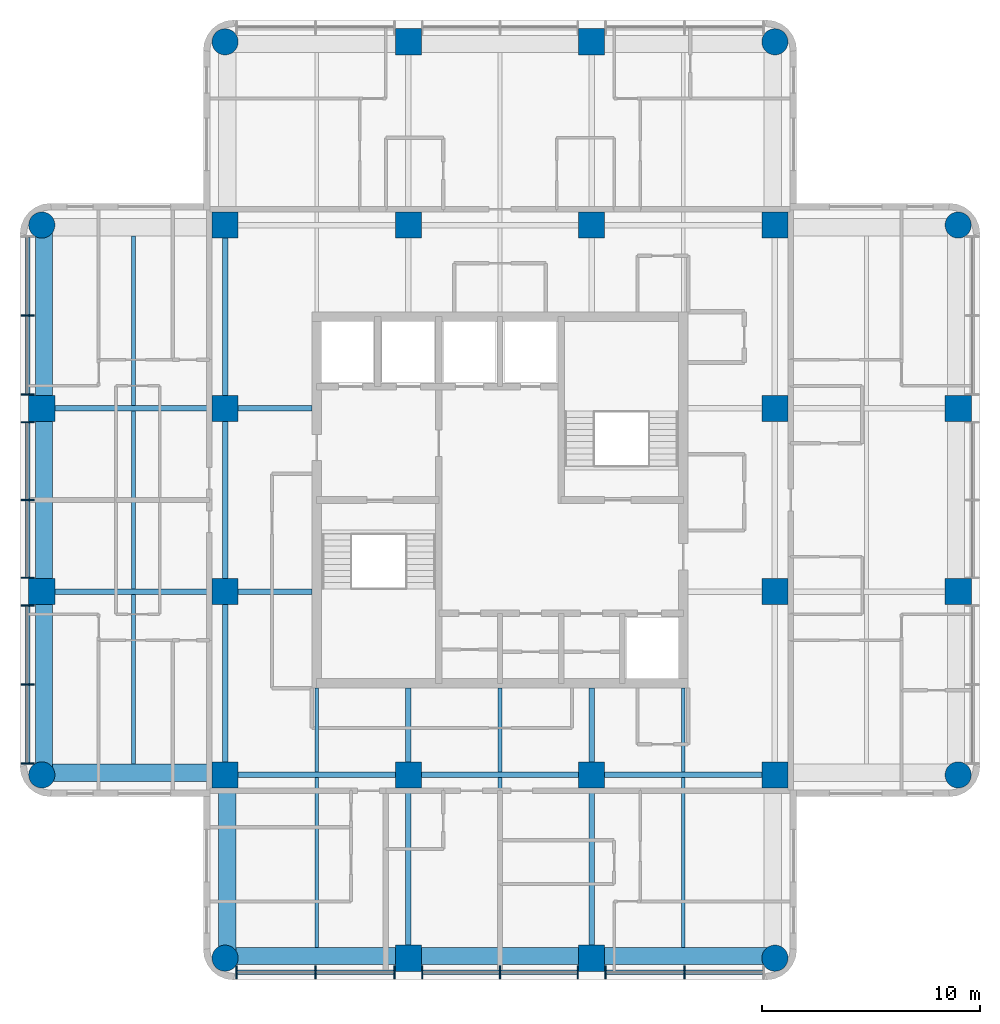
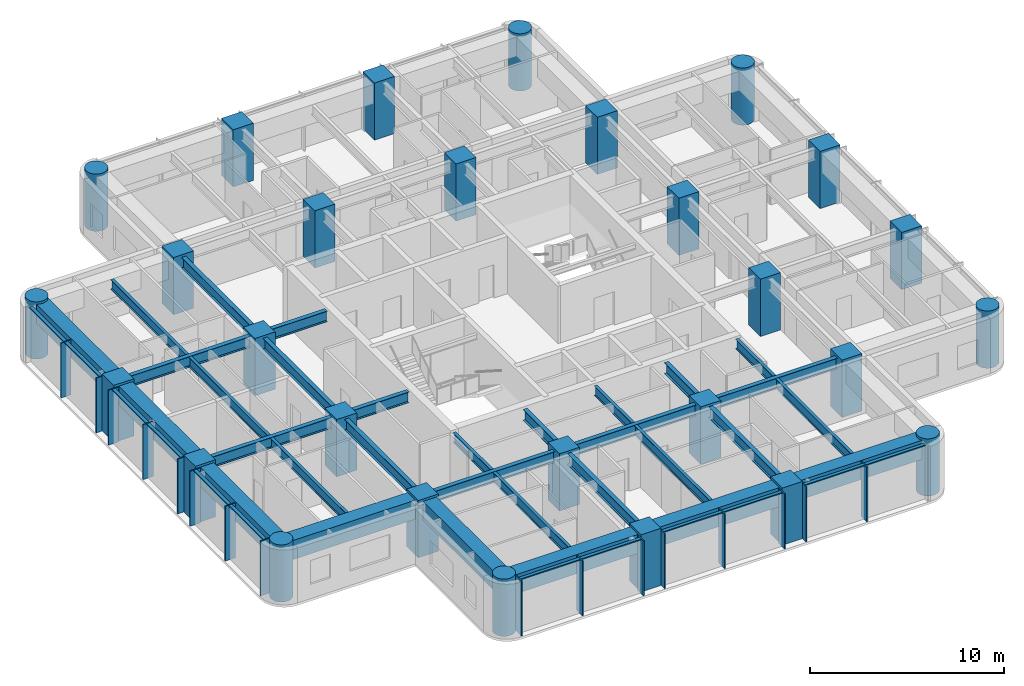
# One storey, part 1 of 10: 31 beams, 28 columns, 28 members, 2 elements without a shape of their own.
"""IFC4 building model written with IfcOpenShell, lengths in metres."""

from ifc_helpers import new_model, si_unit, direction, frame, origin, origin_2d, place, context, subcontext, project, spatial, rectangle, circle, i_section, extrude, material, material_profile, profile_set, type_object, element, aggregate, save


model = new_model("IFC4")

# Units and contexts
model_context = context("Model", 3, precision=1e-05, world=origin(), true_north=direction((0.0, 1.0)))
body_context = subcontext(model_context, "Body", "Model", "MODEL_VIEW")
ifc_project = project(units=[si_unit("LENGTHUNIT", "METRE"), si_unit("AREAUNIT", "SQUARE_METRE"), si_unit("VOLUMEUNIT", "CUBIC_METRE"), si_unit("PLANEANGLEUNIT", "RADIAN"), si_unit("MASSUNIT", "GRAM", prefix="KILO")], contexts=[model_context])

# Site, building, storey
site_placement = place(None, origin())
site = spatial("IfcSite", under=ifc_project, at=site_placement, CompositionType="ELEMENT")
building_placement = place(site_placement, origin())
building = spatial("IfcBuilding", under=site, at=building_placement, Name="Torre Alcanfor", CompositionType="ELEMENT")
storey_placement = place(building_placement, frame((0.0, 0.0, 264.89990234375)))
storey = spatial("IfcBuildingStorey", under=building, at=storey_placement, Name="L69", CompositionType="ELEMENT", Elevation=264.89990234375)

# Columns
ifc_material_1 = material(Name="Concrete f'c 70 MPa", Category="concrete")
ifc_material_profile_1 = material_profile(ifc_material_1, rectangle(XDim=1.199951171875, YDim=1.199951171875, at=origin_2d()), Name="1200x1200")
ifc_profile_set_1 = profile_set([ifc_material_profile_1], Name="Concrete f'c 70 MPa")
column_type_1 = type_object("IfcColumnType", Name="RC column 1200x1200 f'c70", PredefinedType="COLUMN", material=ifc_profile_set_1)
for number, where, z_axis, x_axis, name in (
    (1, (8.39990234375, 25.199951171875, 0.0), (0.0, 0.0, 1.0), (1.0, 0.0, 0.0), "Column 2/F L69"),
    (2, (8.39990234375, 33.60009765625, 0.0), (0.0, 0.0, 1.0), (1.0, 0.0, 0.0), "Column 2/G L69"),
    (3, (16.800048828125, 16.800048828125, 0.0), (0.0, 0.0, 1.0), (1.0, 0.0, 0.0), "Column 3/E L69"),
    (4, (16.800048828125, 25.199951171875, 0.0), (0.0, 0.0, 1.0), (1.0, 0.0, 0.0), "Column 3/F L69"),
    (5, (16.800048828125, 33.60009765625, 0.0), (0.0, 0.0, 1.0), (1.0, 0.0, 0.0), "Column 3/G L69"),
    (6, (16.800048828125, 42.0, 0.0), (0.0, 0.0, 1.0), (1.0, 0.0, 0.0), "Column 3/H L69"),
    (7, (25.199951171875, 8.39990234375, 0.0), (0.0, 0.0, 1.0), (1.0, 0.0, 0.0), "Column 4/D L69"),
    (8, (25.199951171875, 16.800048828125, 0.0), (0.0, 0.0, 1.0), (1.0, 0.0, 0.0), "Column 4/E L69"),
    (9, (25.199951171875, 42.0, 0.0), (0.0, 0.0, 1.0), (1.0, 0.0, 0.0), "Column 4/H L69"),
    (10, (25.199951171875, 50.39990234375, 0.0), (0.0, 0.0, 1.0), (1.0, 0.0, 0.0), "Column 4/J L69"),
    (11, (33.60009765625, 8.39990234375, 0.0), (0.0, 0.0, 1.0), (1.0, 0.0, 0.0), "Column 5/D L69"),
    (12, (33.60009765625, 16.800048828125, 0.0), (0.0, 0.0, 1.0), (1.0, 0.0, 0.0), "Column 5/E L69"),
    (13, (33.60009765625, 42.0, 0.0), (0.0, 0.0, 1.0), (1.0, 0.0, 0.0), "Column 5/H L69"),
    (14, (33.60009765625, 50.39990234375, 0.0), (0.0, 0.0, 1.0), (1.0, 0.0, 0.0), "Column 5/J L69"),
    (15, (42.0, 16.800048828125, 0.0), (0.0, 0.0, 1.0), (1.0, 0.0, 0.0), "Column 6/E L69"),
    (16, (42.0, 25.199951171875, 0.0), (0.0, 0.0, 1.0), (1.0, 0.0, 0.0), "Column 6/F L69"),
    (17, (42.0, 33.60009765625, 0.0), (0.0, 0.0, 1.0), (1.0, 0.0, 0.0), "Column 6/G L69"),
    (18, (42.0, 42.0, 0.0), (0.0, 0.0, 1.0), (1.0, 0.0, 0.0), "Column 6/H L69"),
    (19, (50.39990234375, 25.199951171875, 0.0), (0.0, 0.0, 1.0), (1.0, 0.0, 0.0), "Column 7/F L69"),
    (20, (50.39990234375, 33.60009765625, 0.0), (0.0, 0.0, 1.0), (1.0, 0.0, 0.0), "Column 7/G L69"),
):
    element("IfcColumn", number, at=place(storey_placement, frame(where, z_axis=z_axis, x_axis=x_axis)), inside=storey, type_object=column_type_1, Name=name, PredefinedType="COLUMN", context=body_context, shape_type="SweptSolid", body=[
        extrude(rectangle(XDim=1.199951171875, YDim=1.199951171875, at=origin_2d()), origin(), (0.0, 0.0, 1.0), 3.60009765625),
    ])
ifc_material_2 = material(Name="Concrete f'c 70 MPa", Category="concrete")
ifc_material_profile_2 = material_profile(ifc_material_2, circle(Radius=0.60009765625, at=origin_2d()), Name="D1200")
ifc_profile_set_2 = profile_set([ifc_material_profile_2], Name="Concrete f'c 70 MPa")
column_type_2 = type_object("IfcColumnType", Name="RC column D1200 f'c70", PredefinedType="COLUMN", material=ifc_profile_set_2)
for number, where, z_axis, x_axis, name in (
    (21, (8.39990234375, 16.800048828125, 0.0), (0.0, 0.0, 1.0), (1.0, 0.0, 0.0), "Column 2/E L69"),
    (22, (8.39990234375, 42.0, 0.0), (0.0, 0.0, 1.0), (1.0, 0.0, 0.0), "Column 2/H L69"),
    (23, (16.800048828125, 8.39990234375, 0.0), (0.0, 0.0, 1.0), (1.0, 0.0, 0.0), "Column 3/D L69"),
    (24, (16.800048828125, 50.39990234375, 0.0), (0.0, 0.0, 1.0), (1.0, 0.0, 0.0), "Column 3/J L69"),
    (25, (42.0, 8.39990234375, 0.0), (0.0, 0.0, 1.0), (1.0, 0.0, 0.0), "Column 6/D L69"),
    (26, (42.0, 50.39990234375, 0.0), (0.0, 0.0, 1.0), (1.0, 0.0, 0.0), "Column 6/J L69"),
    (27, (50.39990234375, 16.800048828125, 0.0), (0.0, 0.0, 1.0), (1.0, 0.0, 0.0), "Column 7/E L69"),
    (28, (50.39990234375, 42.0, 0.0), (0.0, 0.0, 1.0), (1.0, 0.0, 0.0), "Column 7/H L69"),
):
    element("IfcColumn", number, at=place(storey_placement, frame(where, z_axis=z_axis, x_axis=x_axis)), inside=storey, type_object=column_type_2, Name=name, PredefinedType="COLUMN", context=body_context, shape_type="SweptSolid", body=[
        extrude(circle(Radius=0.60009765625, at=origin_2d()), origin(), (0.0, 0.0, 1.0), 3.60009765625),
    ])

# Curtain wall, members
ifc_material_3 = material(Name="Aluminium and glass", Category="aluminium")
curtain_wall_type = type_object("IfcCurtainWallType", Name="CW-A unitised apartment glazing with vertical FIN", PredefinedType="NOTDEFINED", material=ifc_material_3)
curtain_wall_1_placement = place(storey_placement, origin())
curtain_wall_1 = element("IfcCurtainWall", 29, at=curtain_wall_1_placement, inside=storey, type_object=curtain_wall_type, Name="Curtain wall CW-A L69 2", PredefinedType="NOTDEFINED")
ifc_material_4 = material(Name="Bronze anodised aluminium", Category="aluminium")
ifc_material_profile_3 = material_profile(ifc_material_4, rectangle(XDim=0.60009765625, YDim=0.06494140625, at=origin_2d()), Name="CW-A mullion 65x600")
ifc_profile_set_3 = profile_set([ifc_material_profile_3], Name="Bronze anodised aluminium")
member_type_1 = type_object("IfcMemberType", Name="CW-A mullion with vertical FIN 65x600", PredefinedType="MULLION", material=ifc_profile_set_3)
member_1_placement = place(storey_placement, frame((7.75, 37.855712890625, 0.0), z_axis=(0.0, 0.0, 1.0), x_axis=(1.0, 0.0, 0.0)))
member_1 = element("IfcMember", 30, at=member_1_placement, type_object=member_type_1, Name="CW-A mullion 1.2", PredefinedType="MULLION", context=body_context, shape_type="SweptSolid", body=[
    extrude(rectangle(XDim=0.60009765625, YDim=0.06494140625, at=origin_2d()), origin(), (0.0, 0.0, 1.0), 3.4501953125),
])
member_2_placement = place(storey_placement, frame((7.75, 34.237548828125, 0.0), z_axis=(0.0, 0.0, 1.0), x_axis=(1.0, 0.0, 0.0)))
member_2 = element("IfcMember", 31, at=member_2_placement, type_object=member_type_1, Name="CW-A mullion 1.3", PredefinedType="MULLION", context=body_context, shape_type="SweptSolid", body=[
    extrude(rectangle(XDim=0.60009765625, YDim=0.06494140625, at=origin_2d()), origin(), (0.0, 0.0, 1.0), 3.4501953125),
])
member_3_placement = place(storey_placement, frame((7.75, 32.96240234375, 0.0), z_axis=(0.0, 0.0, 1.0), x_axis=(1.0, 0.0, 0.0)))
member_3 = element("IfcMember", 32, at=member_3_placement, type_object=member_type_1, Name="CW-A mullion 2.1", PredefinedType="MULLION", context=body_context, shape_type="SweptSolid", body=[
    extrude(rectangle(XDim=0.60009765625, YDim=0.06494140625, at=origin_2d()), origin(), (0.0, 0.0, 1.0), 3.4501953125),
])
member_4_placement = place(storey_placement, frame((7.75, 29.39990234375, 0.0), z_axis=(0.0, 0.0, 1.0), x_axis=(1.0, 0.0, 0.0)))
member_4 = element("IfcMember", 33, at=member_4_placement, type_object=member_type_1, Name="CW-A mullion 2.2", PredefinedType="MULLION", context=body_context, shape_type="SweptSolid", body=[
    extrude(rectangle(XDim=0.60009765625, YDim=0.06494140625, at=origin_2d()), origin(), (0.0, 0.0, 1.0), 3.4501953125),
])
member_5_placement = place(storey_placement, frame((7.75, 25.83740234375, 0.0), z_axis=(0.0, 0.0, 1.0), x_axis=(1.0, 0.0, 0.0)))
member_5 = element("IfcMember", 34, at=member_5_placement, type_object=member_type_1, Name="CW-A mullion 2.3", PredefinedType="MULLION", context=body_context, shape_type="SweptSolid", body=[
    extrude(rectangle(XDim=0.60009765625, YDim=0.06494140625, at=origin_2d()), origin(), (0.0, 0.0, 1.0), 3.4501953125),
])
member_6_placement = place(storey_placement, frame((7.75, 24.5625, 0.0), z_axis=(0.0, 0.0, 1.0), x_axis=(1.0, 0.0, 0.0)))
member_6 = element("IfcMember", 35, at=member_6_placement, type_object=member_type_1, Name="CW-A mullion 3.1", PredefinedType="MULLION", context=body_context, shape_type="SweptSolid", body=[
    extrude(rectangle(XDim=0.60009765625, YDim=0.06494140625, at=origin_2d()), origin(), (0.0, 0.0, 1.0), 3.4501953125),
])
member_7_placement = place(storey_placement, frame((7.75, 20.9443359375, 0.0), z_axis=(0.0, 0.0, 1.0), x_axis=(1.0, 0.0, 0.0)))
member_7 = element("IfcMember", 36, at=member_7_placement, type_object=member_type_1, Name="CW-A mullion 3.2", PredefinedType="MULLION", context=body_context, shape_type="SweptSolid", body=[
    extrude(rectangle(XDim=0.60009765625, YDim=0.06494140625, at=origin_2d()), origin(), (0.0, 0.0, 1.0), 3.4501953125),
])
member_8_placement = place(storey_placement, frame((7.75, 17.325927734375, 0.0), z_axis=(0.0, 0.0, 1.0), x_axis=(1.0, 0.0, 0.0)))
member_8 = element("IfcMember", 37, at=member_8_placement, type_object=member_type_1, Name="CW-A mullion 3.3", PredefinedType="MULLION", context=body_context, shape_type="SweptSolid", body=[
    extrude(rectangle(XDim=0.60009765625, YDim=0.06494140625, at=origin_2d()), origin(), (0.0, 0.0, 1.0), 3.4501953125),
])

curtain_wall_2_placement = place(storey_placement, origin())
curtain_wall_2 = element("IfcCurtainWall", 38, at=curtain_wall_2_placement, inside=storey, type_object=curtain_wall_type, Name="Curtain wall CW-A L69 5", PredefinedType="NOTDEFINED")
member_9_placement = place(storey_placement, frame((17.325927734375, 7.75, 0.0), z_axis=(0.0, 0.0, 1.0), x_axis=(0.0, 1.0, 0.0)))
member_9 = element("IfcMember", 39, at=member_9_placement, type_object=member_type_1, Name="CW-A mullion 1.1", PredefinedType="MULLION", context=body_context, shape_type="SweptSolid", body=[
    extrude(rectangle(XDim=0.60009765625, YDim=0.06494140625, at=origin_2d()), origin(), (0.0, 0.0, 1.0), 3.4501953125),
])
member_10_placement = place(storey_placement, frame((20.9443359375, 7.75, 0.0), z_axis=(0.0, 0.0, 1.0), x_axis=(0.0, 1.0, 0.0)))
member_10 = element("IfcMember", 40, at=member_10_placement, type_object=member_type_1, Name="CW-A mullion 1.2", PredefinedType="MULLION", context=body_context, shape_type="SweptSolid", body=[
    extrude(rectangle(XDim=0.60009765625, YDim=0.06494140625, at=origin_2d()), origin(), (0.0, 0.0, 1.0), 3.4501953125),
])
member_11_placement = place(storey_placement, frame((24.5625, 7.75, 0.0), z_axis=(0.0, 0.0, 1.0), x_axis=(0.0, 1.0, 0.0)))
member_11 = element("IfcMember", 41, at=member_11_placement, type_object=member_type_1, Name="CW-A mullion 1.3", PredefinedType="MULLION", context=body_context, shape_type="SweptSolid", body=[
    extrude(rectangle(XDim=0.60009765625, YDim=0.06494140625, at=origin_2d()), origin(), (0.0, 0.0, 1.0), 3.4501953125),
])
member_12_placement = place(storey_placement, frame((25.83740234375, 7.75, 0.0), z_axis=(0.0, 0.0, 1.0), x_axis=(0.0, 1.0, 0.0)))
member_12 = element("IfcMember", 42, at=member_12_placement, type_object=member_type_1, Name="CW-A mullion 2.1", PredefinedType="MULLION", context=body_context, shape_type="SweptSolid", body=[
    extrude(rectangle(XDim=0.60009765625, YDim=0.06494140625, at=origin_2d()), origin(), (0.0, 0.0, 1.0), 3.4501953125),
])
member_13_placement = place(storey_placement, frame((29.39990234375, 7.75, 0.0), z_axis=(0.0, 0.0, 1.0), x_axis=(0.0, 1.0, 0.0)))
member_13 = element("IfcMember", 43, at=member_13_placement, type_object=member_type_1, Name="CW-A mullion 2.2", PredefinedType="MULLION", context=body_context, shape_type="SweptSolid", body=[
    extrude(rectangle(XDim=0.60009765625, YDim=0.06494140625, at=origin_2d()), origin(), (0.0, 0.0, 1.0), 3.4501953125),
])
member_14_placement = place(storey_placement, frame((32.96240234375, 7.75, 0.0), z_axis=(0.0, 0.0, 1.0), x_axis=(0.0, 1.0, 0.0)))
member_14 = element("IfcMember", 44, at=member_14_placement, type_object=member_type_1, Name="CW-A mullion 2.3", PredefinedType="MULLION", context=body_context, shape_type="SweptSolid", body=[
    extrude(rectangle(XDim=0.60009765625, YDim=0.06494140625, at=origin_2d()), origin(), (0.0, 0.0, 1.0), 3.4501953125),
])
member_15_placement = place(storey_placement, frame((34.237548828125, 7.75, 0.0), z_axis=(0.0, 0.0, 1.0), x_axis=(0.0, 1.0, 0.0)))
member_15 = element("IfcMember", 45, at=member_15_placement, type_object=member_type_1, Name="CW-A mullion 3.1", PredefinedType="MULLION", context=body_context, shape_type="SweptSolid", body=[
    extrude(rectangle(XDim=0.60009765625, YDim=0.06494140625, at=origin_2d()), origin(), (0.0, 0.0, 1.0), 3.4501953125),
])
member_16_placement = place(storey_placement, frame((37.855712890625, 7.75, 0.0), z_axis=(0.0, 0.0, 1.0), x_axis=(0.0, 1.0, 0.0)))
member_16 = element("IfcMember", 46, at=member_16_placement, type_object=member_type_1, Name="CW-A mullion 3.2", PredefinedType="MULLION", context=body_context, shape_type="SweptSolid", body=[
    extrude(rectangle(XDim=0.60009765625, YDim=0.06494140625, at=origin_2d()), origin(), (0.0, 0.0, 1.0), 3.4501953125),
])

# Member
ifc_material_5 = material(Name="Extruded aluminium", Category="aluminium")
ifc_material_profile_4 = material_profile(ifc_material_5, rectangle(XDim=0.199951171875, YDim=0.06494140625, at=origin_2d()), Name="CW-A transom 200x65")
ifc_profile_set_4 = profile_set([ifc_material_profile_4], Name="Extruded aluminium")
member_type_2 = type_object("IfcMemberType", Name="CW-A transom 65x200", PredefinedType="USERDEFINED", material=ifc_profile_set_4)
member_17_placement = place(storey_placement, frame((7.75, 41.44140625, 3.41748046875), z_axis=(0.0, -1.0, 0.0), x_axis=(1.0, 0.0, 0.0)))
member_17 = element("IfcMember", 47, at=member_17_placement, type_object=member_type_2, Name="CW-A transom 1.1.2", ObjectType="TRANSOM", PredefinedType="USERDEFINED", context=body_context, shape_type="SweptSolid", body=[
    extrude(rectangle(XDim=0.199951171875, YDim=0.06494140625, at=origin_2d()), origin(), (0.0, 0.0, 1.0), 3.55322265625),
])

member_18_placement = place(storey_placement, frame((7.75, 37.8232421875, 3.41748046875), z_axis=(0.0, -1.0, 0.0), x_axis=(1.0, 0.0, 0.0)))
member_18 = element("IfcMember", 48, at=member_18_placement, type_object=member_type_2, Name="CW-A transom 1.2.2", ObjectType="TRANSOM", PredefinedType="USERDEFINED", context=body_context, shape_type="SweptSolid", body=[
    extrude(rectangle(XDim=0.199951171875, YDim=0.06494140625, at=origin_2d()), origin(), (0.0, 0.0, 1.0), 3.55322265625),
])

member_19_placement = place(storey_placement, frame((7.75, 32.929931640625, 3.41748046875), z_axis=(0.0, -1.0, 0.0), x_axis=(1.0, 0.0, 0.0)))
member_19 = element("IfcMember", 49, at=member_19_placement, type_object=member_type_2, Name="CW-A transom 2.1.2", ObjectType="TRANSOM", PredefinedType="USERDEFINED", context=body_context, shape_type="SweptSolid", body=[
    extrude(rectangle(XDim=0.199951171875, YDim=0.06494140625, at=origin_2d()), origin(), (0.0, 0.0, 1.0), 3.497314453125),
])

member_20_placement = place(storey_placement, frame((7.75, 29.367431640625, 3.41748046875), z_axis=(0.0, -1.0, 0.0), x_axis=(1.0, 0.0, 0.0)))
member_20 = element("IfcMember", 50, at=member_20_placement, type_object=member_type_2, Name="CW-A transom 2.2.2", ObjectType="TRANSOM", PredefinedType="USERDEFINED", context=body_context, shape_type="SweptSolid", body=[
    extrude(rectangle(XDim=0.199951171875, YDim=0.06494140625, at=origin_2d()), origin(), (0.0, 0.0, 1.0), 3.497314453125),
])

member_21_placement = place(storey_placement, frame((7.75, 24.530029296875, 3.41748046875), z_axis=(0.0, -1.0, 0.0), x_axis=(1.0, 0.0, 0.0)))
member_21 = element("IfcMember", 51, at=member_21_placement, type_object=member_type_2, Name="CW-A transom 3.1.2", ObjectType="TRANSOM", PredefinedType="USERDEFINED", context=body_context, shape_type="SweptSolid", body=[
    extrude(rectangle(XDim=0.199951171875, YDim=0.06494140625, at=origin_2d()), origin(), (0.0, 0.0, 1.0), 3.55322265625),
])

member_22_placement = place(storey_placement, frame((7.75, 20.911865234375, 3.41748046875), z_axis=(0.0, -1.0, 0.0), x_axis=(1.0, 0.0, 0.0)))
member_22 = element("IfcMember", 52, at=member_22_placement, type_object=member_type_2, Name="CW-A transom 3.2.2", ObjectType="TRANSOM", PredefinedType="USERDEFINED", context=body_context, shape_type="SweptSolid", body=[
    extrude(rectangle(XDim=0.199951171875, YDim=0.06494140625, at=origin_2d()), origin(), (0.0, 0.0, 1.0), 3.553466796875),
])

aggregate(curtain_wall_1, [member_1, member_2, member_17, member_18, member_3, member_4, member_5, member_19, member_20, member_6, member_7, member_8, member_21, member_22])

member_23_placement = place(storey_placement, frame((17.3583984375, 7.75, 3.41748046875), z_axis=(1.0, 0.0, 0.0), x_axis=(0.0, 1.0, 0.0)))
member_23 = element("IfcMember", 53, at=member_23_placement, type_object=member_type_2, Name="CW-A transom 1.1.2", ObjectType="TRANSOM", PredefinedType="USERDEFINED", context=body_context, shape_type="SweptSolid", body=[
    extrude(rectangle(XDim=0.199951171875, YDim=0.06494140625, at=origin_2d()), origin(), (0.0, 0.0, 1.0), 3.553466796875),
])

member_24_placement = place(storey_placement, frame((20.976806640625, 7.75, 3.41748046875), z_axis=(1.0, 0.0, 0.0), x_axis=(0.0, 1.0, 0.0)))
member_24 = element("IfcMember", 54, at=member_24_placement, type_object=member_type_2, Name="CW-A transom 1.2.2", ObjectType="TRANSOM", PredefinedType="USERDEFINED", context=body_context, shape_type="SweptSolid", body=[
    extrude(rectangle(XDim=0.199951171875, YDim=0.06494140625, at=origin_2d()), origin(), (0.0, 0.0, 1.0), 3.55322265625),
])

member_25_placement = place(storey_placement, frame((25.8701171875, 7.75, 3.41748046875), z_axis=(1.0, 0.0, 0.0), x_axis=(0.0, 1.0, 0.0)))
member_25 = element("IfcMember", 55, at=member_25_placement, type_object=member_type_2, Name="CW-A transom 2.1.2", ObjectType="TRANSOM", PredefinedType="USERDEFINED", context=body_context, shape_type="SweptSolid", body=[
    extrude(rectangle(XDim=0.199951171875, YDim=0.06494140625, at=origin_2d()), origin(), (0.0, 0.0, 1.0), 3.497314453125),
])

member_26_placement = place(storey_placement, frame((29.4326171875, 7.75, 3.41748046875), z_axis=(1.0, 0.0, 0.0), x_axis=(0.0, 1.0, 0.0)))
member_26 = element("IfcMember", 56, at=member_26_placement, type_object=member_type_2, Name="CW-A transom 2.2.2", ObjectType="TRANSOM", PredefinedType="USERDEFINED", context=body_context, shape_type="SweptSolid", body=[
    extrude(rectangle(XDim=0.199951171875, YDim=0.06494140625, at=origin_2d()), origin(), (0.0, 0.0, 1.0), 3.497314453125),
])

member_27_placement = place(storey_placement, frame((34.27001953125, 7.75, 3.41748046875), z_axis=(1.0, 0.0, 0.0), x_axis=(0.0, 1.0, 0.0)))
member_27 = element("IfcMember", 57, at=member_27_placement, type_object=member_type_2, Name="CW-A transom 3.1.2", ObjectType="TRANSOM", PredefinedType="USERDEFINED", context=body_context, shape_type="SweptSolid", body=[
    extrude(rectangle(XDim=0.199951171875, YDim=0.06494140625, at=origin_2d()), origin(), (0.0, 0.0, 1.0), 3.55322265625),
])

member_28_placement = place(storey_placement, frame((37.88818359375, 7.75, 3.41748046875), z_axis=(1.0, 0.0, 0.0), x_axis=(0.0, 1.0, 0.0)))
member_28 = element("IfcMember", 58, at=member_28_placement, type_object=member_type_2, Name="CW-A transom 3.2.2", ObjectType="TRANSOM", PredefinedType="USERDEFINED", context=body_context, shape_type="SweptSolid", body=[
    extrude(rectangle(XDim=0.199951171875, YDim=0.06494140625, at=origin_2d()), origin(), (0.0, 0.0, 1.0), 3.55322265625),
])

aggregate(curtain_wall_2, [member_9, member_10, member_11, member_23, member_24, member_12, member_13, member_14, member_25, member_26, member_15, member_16, member_27, member_28])

# Beams
ifc_material_6 = material(Name="Steel ASTM A992 Grade 50", Category="steel")
ifc_material_profile_5 = material_profile(ifc_material_6, i_section(OverallWidth=0.25390625, OverallDepth=0.683349609375, WebThickness=0.012451171875, FlangeThickness=0.01904296875, at=origin_2d()), Name="W27x94")
ifc_profile_set_5 = profile_set([ifc_material_profile_5], Name="Steel ASTM A992 Grade 50")
beam_type_1 = type_object("IfcBeamType", Name="Girder W27x94", PredefinedType="BEAM", material=ifc_profile_set_5)
beam_1_placement = place(storey_placement, frame((16.800048828125, 16.800048828125, 3.1083984375), z_axis=(1.0, 0.0, 0.0), x_axis=(0.0, 1.0, 0.0)))
element("IfcBeam", 59, at=beam_1_placement, inside=storey, type_object=beam_type_1, Name="Beam 3E-4E under L70", PredefinedType="BEAM", context=body_context, shape_type="SweptSolid", body=[
    extrude(i_section(OverallWidth=0.25390625, OverallDepth=0.683349609375, WebThickness=0.012451171875, FlangeThickness=0.01904296875, at=origin_2d()), origin(), (0.0, 0.0, 1.0), 8.39990234375),
])
beam_2_placement = place(storey_placement, frame((25.199951171875, 16.800048828125, 3.1083984375), z_axis=(1.0, 0.0, 0.0), x_axis=(0.0, 1.0, 0.0)))
element("IfcBeam", 60, at=beam_2_placement, inside=storey, type_object=beam_type_1, Name="Beam 4E-5E under L70", PredefinedType="BEAM", context=body_context, shape_type="SweptSolid", body=[
    extrude(i_section(OverallWidth=0.25390625, OverallDepth=0.683349609375, WebThickness=0.012451171875, FlangeThickness=0.01904296875, at=origin_2d()), origin(), (0.0, 0.0, 1.0), 8.400146484375),
])
beam_3_placement = place(storey_placement, frame((33.60009765625, 16.800048828125, 3.1083984375), z_axis=(1.0, 0.0, 0.0), x_axis=(0.0, 1.0, 0.0)))
element("IfcBeam", 61, at=beam_3_placement, inside=storey, type_object=beam_type_1, Name="Beam 5E-6E under L70", PredefinedType="BEAM", context=body_context, shape_type="SweptSolid", body=[
    extrude(i_section(OverallWidth=0.25390625, OverallDepth=0.683349609375, WebThickness=0.012451171875, FlangeThickness=0.01904296875, at=origin_2d()), origin(), (0.0, 0.0, 1.0), 8.39990234375),
])
for number, where, z_axis, x_axis, name in (
    (62, (8.39990234375, 25.199951171875, 3.1083984375), (1.0, 0.0, 0.0), (0.0, 1.0, 0.0), "Beam 2F-3F under L70"),
    (63, (8.39990234375, 33.60009765625, 3.1083984375), (1.0, 0.0, 0.0), (0.0, 1.0, 0.0), "Beam 2G-3G under L70"),
):
    element("IfcBeam", number, at=place(storey_placement, frame(where, z_axis=z_axis, x_axis=x_axis)), inside=storey, type_object=beam_type_1, Name=name, PredefinedType="BEAM", context=body_context, shape_type="SweptSolid", body=[
        extrude(i_section(OverallWidth=0.25390625, OverallDepth=0.683349609375, WebThickness=0.012451171875, FlangeThickness=0.01904296875, at=origin_2d()), origin(), (0.0, 0.0, 1.0), 8.400146484375),
    ])
beam_4_placement = place(storey_placement, frame((16.800048828125, 16.800048828125, 3.1083984375), z_axis=(0.0, 1.0, 0.0), x_axis=(-1.0, 0.0, 0.0)))
element("IfcBeam", 64, at=beam_4_placement, inside=storey, type_object=beam_type_1, Name="Beam 3E-3F under L70", PredefinedType="BEAM", context=body_context, shape_type="SweptSolid", body=[
    extrude(i_section(OverallWidth=0.25390625, OverallDepth=0.683349609375, WebThickness=0.012451171875, FlangeThickness=0.01904296875, at=origin_2d()), origin(), (0.0, 0.0, 1.0), 8.39990234375),
])
beam_5_placement = place(storey_placement, frame((16.800048828125, 25.199951171875, 3.1083984375), z_axis=(0.0, 1.0, 0.0), x_axis=(-1.0, 0.0, 0.0)))
element("IfcBeam", 65, at=beam_5_placement, inside=storey, type_object=beam_type_1, Name="Beam 3F-3G under L70", PredefinedType="BEAM", context=body_context, shape_type="SweptSolid", body=[
    extrude(i_section(OverallWidth=0.25390625, OverallDepth=0.683349609375, WebThickness=0.012451171875, FlangeThickness=0.01904296875, at=origin_2d()), origin(), (0.0, 0.0, 1.0), 8.400146484375),
])
beam_6_placement = place(storey_placement, frame((16.800048828125, 33.60009765625, 3.1083984375), z_axis=(0.0, 1.0, 0.0), x_axis=(-1.0, 0.0, 0.0)))
element("IfcBeam", 66, at=beam_6_placement, inside=storey, type_object=beam_type_1, Name="Beam 3G-3H under L70", PredefinedType="BEAM", context=body_context, shape_type="SweptSolid", body=[
    extrude(i_section(OverallWidth=0.25390625, OverallDepth=0.683349609375, WebThickness=0.012451171875, FlangeThickness=0.01904296875, at=origin_2d()), origin(), (0.0, 0.0, 1.0), 8.39990234375),
])
for number, where, z_axis, x_axis, name in (
    (67, (25.199951171875, 8.39990234375, 3.1083984375), (0.0, 1.0, 0.0), (-1.0, 0.0, 0.0), "Beam 4D-4E under L70"),
    (68, (33.60009765625, 8.39990234375, 3.1083984375), (0.0, 1.0, 0.0), (-1.0, 0.0, 0.0), "Beam 5D-5E under L70"),
):
    element("IfcBeam", number, at=place(storey_placement, frame(where, z_axis=z_axis, x_axis=x_axis)), inside=storey, type_object=beam_type_1, Name=name, PredefinedType="BEAM", context=body_context, shape_type="SweptSolid", body=[
        extrude(i_section(OverallWidth=0.25390625, OverallDepth=0.683349609375, WebThickness=0.012451171875, FlangeThickness=0.01904296875, at=origin_2d()), origin(), (0.0, 0.0, 1.0), 8.400146484375),
    ])
ifc_material_7 = material(Name="Steel ASTM A992 Grade 50", Category="steel")
ifc_material_profile_6 = material_profile(ifc_material_7, i_section(OverallWidth=0.25390625, OverallDepth=0.683349609375, WebThickness=0.012451171875, FlangeThickness=0.01904296875, at=origin_2d()), Name="W27x94")
ifc_profile_set_6 = profile_set([ifc_material_profile_6], Name="Steel ASTM A992 Grade 50")
beam_type_2 = type_object("IfcBeamType", Name="Girder, part bay W27x94", PredefinedType="BEAM", material=ifc_profile_set_6)
for number, where, z_axis, x_axis, name in (
    (69, (25.199951171875, 16.800048828125, 3.1083984375), (0.0, 1.0, 0.0), (-1.0, 0.0, 0.0), "Beam 4E-420_775 under L70"),
    (70, (33.60009765625, 16.800048828125, 3.1083984375), (0.0, 1.0, 0.0), (-1.0, 0.0, 0.0), "Beam 5E-520_775 under L70"),
    (71, (16.800048828125, 25.199951171875, 3.1083984375), (1.0, 0.0, 0.0), (0.0, 1.0, 0.0), "Beam 3F-20_775F under L70"),
    (72, (16.800048828125, 33.60009765625, 3.1083984375), (1.0, 0.0, 0.0), (0.0, 1.0, 0.0), "Beam 3G-20_775G under L70"),
):
    element("IfcBeam", number, at=place(storey_placement, frame(where, z_axis=z_axis, x_axis=x_axis)), inside=storey, type_object=beam_type_2, Name=name, PredefinedType="BEAM", context=body_context, shape_type="SweptSolid", body=[
        extrude(i_section(OverallWidth=0.25390625, OverallDepth=0.683349609375, WebThickness=0.012451171875, FlangeThickness=0.01904296875, at=origin_2d()), origin(), (0.0, 0.0, 1.0), 3.974853515625),
    ])
ifc_material_8 = material(Name="Concrete f'c 70 MPa", Category="concrete")
ifc_material_profile_7 = material_profile(ifc_material_8, rectangle(XDim=0.800048828125, YDim=1.199951171875, at=origin_2d()), Name="800x1200")
ifc_profile_set_7 = profile_set([ifc_material_profile_7], Name="Concrete f'c 70 MPa")
beam_type_3 = type_object("IfcBeamType", Name="RC perimeter beam 800x1200", PredefinedType="BEAM", material=ifc_profile_set_7)
beam_7_placement = place(storey_placement, frame((16.800048828125, 8.5, 2.85009765625), z_axis=(1.0, 0.0, 0.0), x_axis=(0.0, 1.0, 0.0)))
element("IfcBeam", 73, at=beam_7_placement, inside=storey, type_object=beam_type_3, Name="Beam 3D-4D under L70", PredefinedType="BEAM", context=body_context, shape_type="SweptSolid", body=[
    extrude(rectangle(XDim=0.800048828125, YDim=1.199951171875, at=origin_2d()), origin(), (0.0, 0.0, 1.0), 8.27294921875),
])
beam_8_placement = place(storey_placement, frame((25.326904296875, 8.5, 2.85009765625), z_axis=(1.0, 0.0, 0.0), x_axis=(0.0, 1.0, 0.0)))
element("IfcBeam", 74, at=beam_8_placement, inside=storey, type_object=beam_type_3, Name="Beam 4D-5D under L70", PredefinedType="BEAM", context=body_context, shape_type="SweptSolid", body=[
    extrude(rectangle(XDim=0.800048828125, YDim=1.199951171875, at=origin_2d()), origin(), (0.0, 0.0, 1.0), 8.14599609375),
])
beam_9_placement = place(storey_placement, frame((33.72705078125, 8.5, 2.85009765625), z_axis=(1.0, 0.0, 0.0), x_axis=(0.0, 1.0, 0.0)))
element("IfcBeam", 75, at=beam_9_placement, inside=storey, type_object=beam_type_3, Name="Beam 5D-6D under L70", PredefinedType="BEAM", context=body_context, shape_type="SweptSolid", body=[
    extrude(rectangle(XDim=0.800048828125, YDim=1.199951171875, at=origin_2d()), origin(), (0.0, 0.0, 1.0), 8.27294921875),
])
beam_10_placement = place(storey_placement, frame((8.39990234375, 16.89990234375, 2.85009765625), z_axis=(1.0, 0.0, 0.0), x_axis=(0.0, 1.0, 0.0)))
element("IfcBeam", 76, at=beam_10_placement, inside=storey, type_object=beam_type_3, Name="Beam 2E-3E under L70", PredefinedType="BEAM", context=body_context, shape_type="SweptSolid", body=[
    extrude(rectangle(XDim=0.800048828125, YDim=1.199951171875, at=origin_2d()), origin(), (0.0, 0.0, 1.0), 8.273193359375),
])
beam_11_placement = place(storey_placement, frame((8.5, 16.800048828125, 2.85009765625), z_axis=(0.0, 1.0, 0.0), x_axis=(-1.0, 0.0, 0.0)))
element("IfcBeam", 77, at=beam_11_placement, inside=storey, type_object=beam_type_3, Name="Beam 2E-2F under L70", PredefinedType="BEAM", context=body_context, shape_type="SweptSolid", body=[
    extrude(rectangle(XDim=0.800048828125, YDim=1.199951171875, at=origin_2d()), origin(), (0.0, 0.0, 1.0), 8.27294921875),
])
beam_12_placement = place(storey_placement, frame((8.5, 25.326904296875, 2.85009765625), z_axis=(0.0, 1.0, 0.0), x_axis=(-1.0, 0.0, 0.0)))
element("IfcBeam", 78, at=beam_12_placement, inside=storey, type_object=beam_type_3, Name="Beam 2F-2G under L70", PredefinedType="BEAM", context=body_context, shape_type="SweptSolid", body=[
    extrude(rectangle(XDim=0.800048828125, YDim=1.199951171875, at=origin_2d()), origin(), (0.0, 0.0, 1.0), 8.14599609375),
])
beam_13_placement = place(storey_placement, frame((8.5, 33.72705078125, 2.85009765625), z_axis=(0.0, 1.0, 0.0), x_axis=(-1.0, 0.0, 0.0)))
element("IfcBeam", 79, at=beam_13_placement, inside=storey, type_object=beam_type_3, Name="Beam 2G-2H under L70", PredefinedType="BEAM", context=body_context, shape_type="SweptSolid", body=[
    extrude(rectangle(XDim=0.800048828125, YDim=1.199951171875, at=origin_2d()), origin(), (0.0, 0.0, 1.0), 8.27294921875),
])
beam_14_placement = place(storey_placement, frame((16.89990234375, 8.39990234375, 2.85009765625), z_axis=(0.0, 1.0, 0.0), x_axis=(-1.0, 0.0, 0.0)))
element("IfcBeam", 80, at=beam_14_placement, inside=storey, type_object=beam_type_3, Name="Beam 3D-3E under L70", PredefinedType="BEAM", context=body_context, shape_type="SweptSolid", body=[
    extrude(rectangle(XDim=0.800048828125, YDim=1.199951171875, at=origin_2d()), origin(), (0.0, 0.0, 1.0), 8.273193359375),
])
ifc_material_9 = material(Name="Steel ASTM A992 Grade 50", Category="steel")
ifc_material_profile_8 = material_profile(ifc_material_9, i_section(OverallWidth=0.1787109375, OverallDepth=0.60205078125, WebThickness=0.010986328125, FlangeThickness=0.014892578125, at=origin_2d()), Name="W24x62")
ifc_profile_set_8 = profile_set([ifc_material_profile_8], Name="Steel ASTM A992 Grade 50")
beam_type_4 = type_object("IfcBeamType", Name="Secondary beam W24x62", PredefinedType="BEAM", material=ifc_profile_set_8)
beam_15_placement = place(storey_placement, frame((12.60009765625, 17.300048828125, 3.149169921875), z_axis=(0.0, 1.0, 0.0), x_axis=(-1.0, 0.0, 0.0)))
element("IfcBeam", 81, at=beam_15_placement, inside=storey, type_object=beam_type_4, Name="Beam 12_6E-12_6F under L70", PredefinedType="BEAM", context=body_context, shape_type="SweptSolid", body=[
    extrude(i_section(OverallWidth=0.1787109375, OverallDepth=0.60205078125, WebThickness=0.010986328125, FlangeThickness=0.014892578125, at=origin_2d()), origin(), (0.0, 0.0, 1.0), 7.77294921875),
])
beam_16_placement = place(storey_placement, frame((12.60009765625, 25.326904296875, 3.149169921875), z_axis=(0.0, 1.0, 0.0), x_axis=(-1.0, 0.0, 0.0)))
element("IfcBeam", 82, at=beam_16_placement, inside=storey, type_object=beam_type_4, Name="Beam 12_6F-12_6G under L70", PredefinedType="BEAM", context=body_context, shape_type="SweptSolid", body=[
    extrude(i_section(OverallWidth=0.1787109375, OverallDepth=0.60205078125, WebThickness=0.010986328125, FlangeThickness=0.014892578125, at=origin_2d()), origin(), (0.0, 0.0, 1.0), 8.14599609375),
])
beam_17_placement = place(storey_placement, frame((12.60009765625, 33.72705078125, 3.149169921875), z_axis=(0.0, 1.0, 0.0), x_axis=(-1.0, 0.0, 0.0)))
element("IfcBeam", 83, at=beam_17_placement, inside=storey, type_object=beam_type_4, Name="Beam 12_6G-12_6H under L70", PredefinedType="BEAM", context=body_context, shape_type="SweptSolid", body=[
    extrude(i_section(OverallWidth=0.1787109375, OverallDepth=0.60205078125, WebThickness=0.010986328125, FlangeThickness=0.014892578125, at=origin_2d()), origin(), (0.0, 0.0, 1.0), 7.77294921875),
])
for number, where, z_axis, x_axis, name in (
    (84, (21.0, 8.89990234375, 3.149169921875), (0.0, 1.0, 0.0), (-1.0, 0.0, 0.0), "Beam 21D-21E under L70"),
    (85, (29.39990234375, 8.89990234375, 3.149169921875), (0.0, 1.0, 0.0), (-1.0, 0.0, 0.0), "Beam 29_4D-29_4E under L70"),
    (86, (37.800048828125, 8.89990234375, 3.149169921875), (0.0, 1.0, 0.0), (-1.0, 0.0, 0.0), "Beam 37_8D-37_8E under L70"),
):
    element("IfcBeam", number, at=place(storey_placement, frame(where, z_axis=z_axis, x_axis=x_axis)), inside=storey, type_object=beam_type_4, Name=name, PredefinedType="BEAM", context=body_context, shape_type="SweptSolid", body=[
        extrude(i_section(OverallWidth=0.1787109375, OverallDepth=0.60205078125, WebThickness=0.010986328125, FlangeThickness=0.014892578125, at=origin_2d()), origin(), (0.0, 0.0, 1.0), 7.773193359375),
    ])
ifc_material_10 = material(Name="Steel ASTM A992 Grade 50", Category="steel")
ifc_material_profile_9 = material_profile(ifc_material_10, i_section(OverallWidth=0.1787109375, OverallDepth=0.60205078125, WebThickness=0.010986328125, FlangeThickness=0.014892578125, at=origin_2d()), Name="W24x62")
ifc_profile_set_9 = profile_set([ifc_material_profile_9], Name="Steel ASTM A992 Grade 50")
beam_type_5 = type_object("IfcBeamType", Name="Secondary beam, part bay W24x62", PredefinedType="BEAM", material=ifc_profile_set_9)
for number, where, z_axis, x_axis, name in (
    (87, (21.0, 16.927001953125, 3.149169921875), (0.0, 1.0, 0.0), (-1.0, 0.0, 0.0), "Beam 21E-2120_775 under L70"),
    (88, (29.39990234375, 16.927001953125, 3.149169921875), (0.0, 1.0, 0.0), (-1.0, 0.0, 0.0), "Beam 29_4E-29_420_775 under L70"),
    (89, (37.800048828125, 16.927001953125, 3.149169921875), (0.0, 1.0, 0.0), (-1.0, 0.0, 0.0), "Beam 37_8E-37_820_775 under L70"),
):
    element("IfcBeam", number, at=place(storey_placement, frame(where, z_axis=z_axis, x_axis=x_axis)), inside=storey, type_object=beam_type_5, Name=name, PredefinedType="BEAM", context=body_context, shape_type="SweptSolid", body=[
        extrude(i_section(OverallWidth=0.1787109375, OverallDepth=0.60205078125, WebThickness=0.010986328125, FlangeThickness=0.014892578125, at=origin_2d()), origin(), (0.0, 0.0, 1.0), 3.847900390625),
    ])

save(model, "model.ifc")
